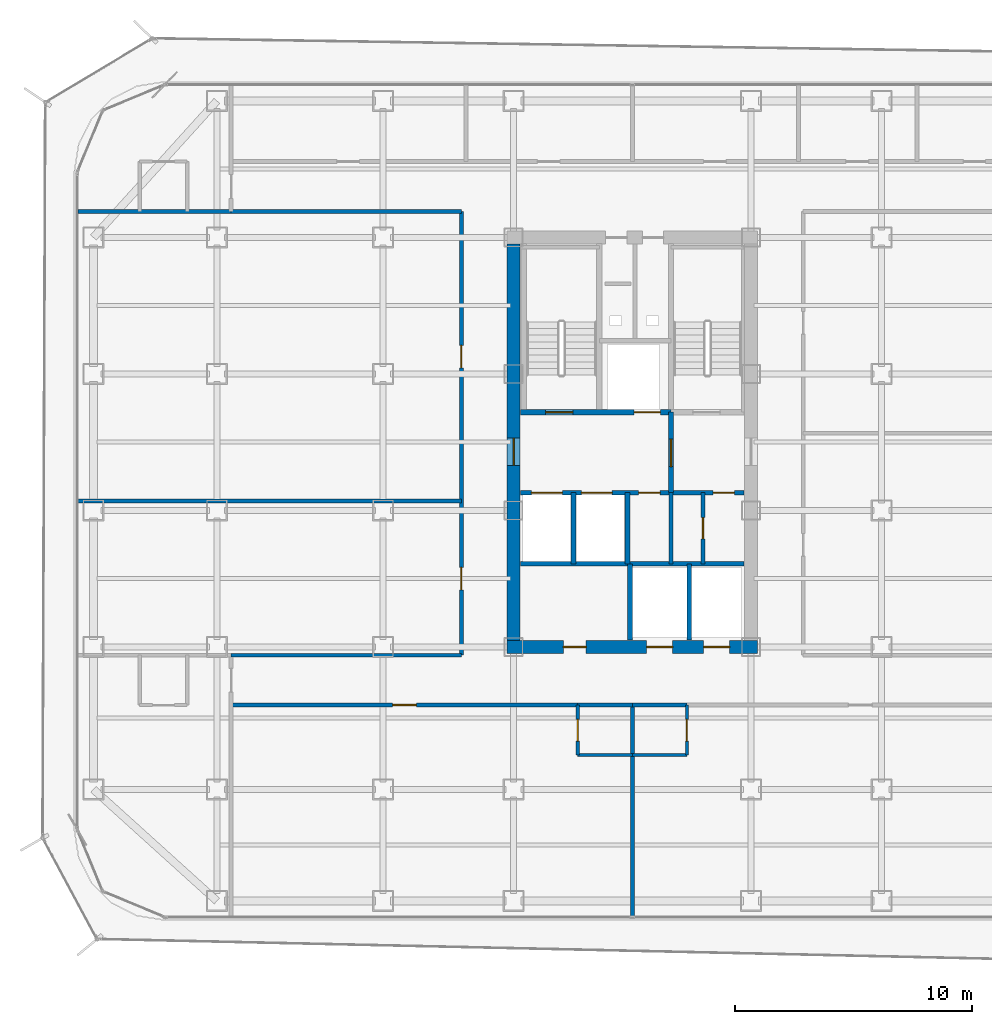
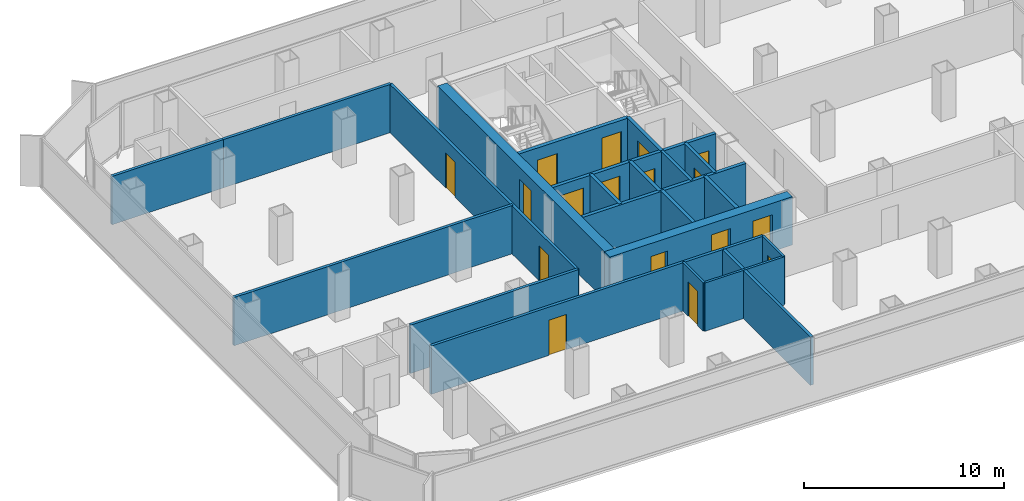
# One storey, part 16 of 21: 25 walls, 17 doors, 17 openings.
"""IFC4 building model written with IfcOpenShell, lengths in metres."""

from ifc_helpers import new_model, si_unit, direction, frame, frame_2d, origin, place, context, subcontext, project, spatial, rectangle, extrude, material, layer, layer_set, type_object, element, fill, save


model = new_model("IFC4")

# Units and contexts
model_context = context("Model", 3, precision=1e-05, world=origin(), true_north=direction((0.0, 1.0)))
body_context = subcontext(model_context, "Body", "Model", "MODEL_VIEW")
ifc_project = project(units=[si_unit("LENGTHUNIT", "METRE"), si_unit("AREAUNIT", "SQUARE_METRE"), si_unit("VOLUMEUNIT", "CUBIC_METRE"), si_unit("PLANEANGLEUNIT", "RADIAN"), si_unit("MASSUNIT", "GRAM", prefix="KILO")], contexts=[model_context])

# Site, building, storey
site_placement = place(None, origin())
site = spatial("IfcSite", under=ifc_project, at=site_placement, CompositionType="ELEMENT")
building_placement = place(site_placement, origin())
building = spatial("IfcBuilding", under=site, at=building_placement, Name="Kolveth Station Tower", CompositionType="ELEMENT")
storey_placement = place(building_placement, frame((0.0, 0.0, 134.300048828125)))
storey = spatial("IfcBuildingStorey", under=building, at=storey_placement, Name="L37", CompositionType="ELEMENT", Elevation=134.300048828125)

# Wall, openings, doors
ifc_material_1 = material(Name="Concrete C60/75", Category="concrete")
ifc_layer_1 = layer(ifc_material_1, 0.550048828125)
ifc_layer_set_1 = layer_set([ifc_layer_1], Name="Concrete C60/75")
wall_type_1 = type_object("IfcWallType", Name="Wall_CW-550", PredefinedType="SHEAR", material=ifc_layer_set_1)
wall_1_placement = place(storey_placement, frame((18.22509765625, 11.5, 0.0), z_axis=(0.0, 0.0, 1.0), x_axis=(1.0, 0.0, 0.0)))
wall_1 = element("IfcWall", 1, at=wall_1_placement, inside=storey, type_object=wall_type_1, Name="L37 Core RC Shear Wall S", PredefinedType="SHEAR", context=body_context, shape_type="SweptSolid", body=[
    extrude(rectangle(XDim=10.5498046875, YDim=0.550048828125, at=frame_2d((5.27490234375, 0.0))), origin(), (0.0, 0.0, 1.0), 2.949951171875),
])
opening_1_placement = place(wall_1_placement, frame((2.375, 0.0, 0.0)))
opening_1 = element("IfcOpeningElement", 2, at=opening_1_placement, cuts=wall_1, Name="Opening ID1", PredefinedType="OPENING", context=body_context, shape_type="SweptSolid", body=[
    extrude(rectangle(XDim=0.949951171875, YDim=2.14990234375, at=frame_2d((0.47509765625, 1.074951171875))), frame((0.0, 0.284912109375, 0.0), z_axis=(0.0, -1.0, 0.0), x_axis=(1.0, 0.0, 0.0)), (0.0, 0.0, 1.0), 0.570068359375),
])
opening_2_placement = place(wall_1_placement, frame((5.875, 0.0, 0.0)))
opening_2 = element("IfcOpeningElement", 3, at=opening_2_placement, cuts=wall_1, Name="Opening LD1", PredefinedType="OPENING", context=body_context, shape_type="SweptSolid", body=[
    extrude(rectangle(XDim=1.10009765625, YDim=2.25, at=frame_2d((0.550048828125, 1.125))), frame((0.0, 0.284912109375, 0.0), z_axis=(0.0, -1.0, 0.0), x_axis=(1.0, 0.0, 0.0)), (0.0, 0.0, 1.0), 0.570068359375),
])
opening_3_placement = place(wall_1_placement, frame((8.27490234375, 0.0, 0.0)))
opening_3 = element("IfcOpeningElement", 4, at=opening_3_placement, cuts=wall_1, Name="Opening LD1", PredefinedType="OPENING", context=body_context, shape_type="SweptSolid", body=[
    extrude(rectangle(XDim=1.10009765625, YDim=2.25, at=frame_2d((0.550048828125, 1.125))), frame((0.0, 0.284912109375, 0.0), z_axis=(0.0, -1.0, 0.0), x_axis=(1.0, 0.0, 0.0)), (0.0, 0.0, 1.0), 0.570068359375),
])
ifc_material_2 = material(Name="Acoustic hardwood leaf and aluminium frame", Category="wood")
door_type_1 = type_object("IfcDoorType", Name="Door_ID1", OperationType="NOTDEFINED", PredefinedType="DOOR", material=ifc_material_2)
door_1_placement = place(opening_1_placement, frame((0.949951171875, 0.0, 0.0), z_axis=(0.0, 0.0, 1.0), x_axis=(-1.0, 0.0, 0.0)))
door_1 = element("IfcDoor", 5, at=door_1_placement, inside=storey, type_object=door_type_1, Name="L37 Hotel Pantry Door", OperationType="SINGLE_SWING_LEFT", OverallHeight=2.14990234375, OverallWidth=0.949951171875, PredefinedType="DOOR", context=body_context, shape_type="SweptSolid", body=[
    extrude(rectangle(XDim=0.949951171875, YDim=2.14990234375, at=frame_2d((0.47509765625, 1.074951171875))), frame((0.0, 0.02490234375, 0.0), z_axis=(0.0, -1.0, 0.0), x_axis=(1.0, 0.0, 0.0)), (0.0, 0.0, 1.0), 0.050048828125),
])
fill(opening_1, door_1)
ifc_material_3 = material(Name="Brushed stainless steel sliding landing doors", Category="steel")
door_type_2 = type_object("IfcDoorType", Name="Door_LD1", OperationType="NOTDEFINED", PredefinedType="DOOR", material=ifc_material_3)
door_2_placement = place(opening_2_placement, frame((1.10009765625, 0.0, 0.0), z_axis=(0.0, 0.0, 1.0), x_axis=(-1.0, 0.0, 0.0)))
door_2 = element("IfcDoor", 6, at=door_2_placement, inside=storey, type_object=door_type_2, Name="L37 Lift PM1 Landing Door", OperationType="DOUBLE_DOOR_SLIDING", OverallHeight=2.25, OverallWidth=1.10009765625, PredefinedType="DOOR", context=body_context, shape_type="SweptSolid", body=[
    extrude(rectangle(XDim=1.10009765625, YDim=2.25, at=frame_2d((0.550048828125, 1.125))), frame((0.0, 0.02490234375, 0.0), z_axis=(0.0, -1.0, 0.0), x_axis=(1.0, 0.0, 0.0)), (0.0, 0.0, 1.0), 0.050048828125),
])
fill(opening_2, door_2)
door_3_placement = place(opening_3_placement, frame((1.10009765625, 0.0, 0.0), z_axis=(0.0, 0.0, 1.0), x_axis=(-1.0, 0.0, 0.0)))
door_3 = element("IfcDoor", 7, at=door_3_placement, inside=storey, type_object=door_type_2, Name="L37 Lift PH1 Landing Door", OperationType="DOUBLE_DOOR_SLIDING", OverallHeight=2.25, OverallWidth=1.10009765625, PredefinedType="DOOR", context=body_context, shape_type="SweptSolid", body=[
    extrude(rectangle(XDim=1.10009765625, YDim=2.25, at=frame_2d((0.550048828125, 1.125))), frame((0.0, 0.02490234375, 0.0), z_axis=(0.0, -1.0, 0.0), x_axis=(1.0, 0.0, 0.0)), (0.0, 0.0, 1.0), 0.050048828125),
])
fill(opening_3, door_3)

# Wall, opening, door
wall_2_placement = place(storey_placement, frame((18.5, 11.77490234375, 0.0), z_axis=(0.0, 0.0, 1.0), x_axis=(0.0, 1.0, 0.0)))
wall_2 = element("IfcWall", 8, at=wall_2_placement, inside=storey, type_object=wall_type_1, Name="L37 Core RC Shear Wall W", PredefinedType="SHEAR", context=body_context, shape_type="SweptSolid", body=[
    extrude(rectangle(XDim=16.7001953125, YDim=0.550048828125, at=frame_2d((8.35009765625, 0.0))), origin(), (0.0, 0.0, 1.0), 2.949951171875),
])
opening_4_placement = place(wall_2_placement, frame((7.375, 0.0, 0.0)))
opening_4 = element("IfcOpeningElement", 9, at=opening_4_placement, cuts=wall_2, Name="Opening FD1", PredefinedType="OPENING", context=body_context, shape_type="SweptSolid", body=[
    extrude(rectangle(XDim=1.14990234375, YDim=2.199951171875, at=frame_2d((0.574951171875, 1.10009765625))), frame((0.0, 0.284912109375, 0.0), z_axis=(0.0, -1.0, 0.0), x_axis=(1.0, 0.0, 0.0)), (0.0, 0.0, 1.0), 0.570068359375),
])
ifc_material_4 = material(Name="Fire-rated Steel S355 leaf and frame", Category="steel")
door_type_3 = type_object("IfcDoorType", Name="Door_FD1", OperationType="NOTDEFINED", PredefinedType="DOOR", material=ifc_material_4)
door_4_placement = place(opening_4_placement, frame((1.14990234375, 0.0, 0.0), z_axis=(0.0, 0.0, 1.0), x_axis=(-1.0, 0.0, 0.0)))
door_4 = element("IfcDoor", 10, at=door_4_placement, inside=storey, type_object=door_type_3, Name="L37 West Corridor to Firefighting Lobby Door", OperationType="SINGLE_SWING_LEFT", OverallHeight=2.199951171875, OverallWidth=1.14990234375, PredefinedType="DOOR", context=body_context, shape_type="SweptSolid", body=[
    extrude(rectangle(XDim=1.14990234375, YDim=2.199951171875, at=frame_2d((0.574951171875, 1.10009765625))), frame((0.0, 0.02490234375, 0.0), z_axis=(0.0, -1.0, 0.0), x_axis=(1.0, 0.0, 0.0)), (0.0, 0.0, 1.0), 0.050048828125),
])
fill(opening_4, door_4)

ifc_material_5 = material(Name="Moisture-resistant gypsum partition")
ifc_layer_2 = layer(ifc_material_5, 0.135009765625)
ifc_layer_set_2 = layer_set([ifc_layer_2], Name="Moisture-resistant gypsum partition")
wall_type_2 = type_object("IfcWallType", Name="Wall_IW-135", PredefinedType="PARTITIONING", material=ifc_layer_set_2)
wall_3_placement = place(storey_placement, frame((21.199951171875, 6.949951171875, 0.0), z_axis=(0.0, 0.0, 1.0), x_axis=(0.0, 1.0, 0.0)))
wall_3 = element("IfcWall", 11, at=wall_3_placement, inside=storey, type_object=wall_type_2, Name="L37 Partition Wall WL-L37-HS1-BV", PredefinedType="PARTITIONING", context=body_context, shape_type="SweptSolid", body=[
    extrude(rectangle(XDim=2.10009765625, YDim=0.135009765625, at=frame_2d((1.050048828125, 0.0))), origin(), (0.0, 0.0, 1.0), 2.949951171875),
])
opening_5_placement = place(wall_3_placement, frame((0.580078125, 0.0, 0.0)))
opening_5 = element("IfcOpeningElement", 12, at=opening_5_placement, cuts=wall_3, Name="Opening ID2", PredefinedType="OPENING", context=body_context, shape_type="SweptSolid", body=[
    extrude(rectangle(XDim=0.919921875, YDim=2.10009765625, at=frame_2d((0.4599609375, 1.050048828125))), frame((0.0, 0.077392578125, 0.0), z_axis=(0.0, -1.0, 0.0), x_axis=(1.0, 0.0, 0.0)), (0.0, 0.0, 1.0), 0.155029296875),
])
ifc_material_6 = material(Name="Moisture-resistant hardwood leaf", Category="wood")
door_type_4 = type_object("IfcDoorType", Name="Door_ID2", OperationType="NOTDEFINED", PredefinedType="DOOR", material=ifc_material_6)
door_5_placement = place(opening_5_placement, origin())
door_5 = element("IfcDoor", 13, at=door_5_placement, inside=storey, type_object=door_type_4, Name="L37 Hotel Corner Suite HS1 En-Suite Door", OperationType="SINGLE_SWING_RIGHT", OverallHeight=2.10009765625, OverallWidth=0.919921875, PredefinedType="DOOR", context=body_context, shape_type="SweptSolid", body=[
    extrude(rectangle(XDim=0.919921875, YDim=2.10009765625, at=frame_2d((0.4599609375, 1.050048828125))), frame((0.0, 0.02490234375, 0.0), z_axis=(0.0, -1.0, 0.0), x_axis=(1.0, 0.0, 0.0)), (0.0, 0.0, 1.0), 0.050048828125),
])
fill(opening_5, door_5)

# Wall
wall_4_placement = place(storey_placement, frame((21.199951171875, 6.949951171875, 0.0), z_axis=(0.0, 0.0, 1.0), x_axis=(1.0, 0.0, 0.0)))
element("IfcWall", 14, at=wall_4_placement, inside=storey, type_object=wall_type_2, Name="L37 Partition Wall WL-L37-HS1-BH", PredefinedType="PARTITIONING", context=body_context, shape_type="SweptSolid", body=[
    extrude(rectangle(XDim=2.300048828125, YDim=0.135009765625, at=frame_2d((1.14990234375, 0.0))), origin(), (0.0, 0.0, 1.0), 2.949951171875),
])

# Wall, opening, door
wall_5_placement = place(storey_placement, frame((25.800048828125, 6.949951171875, 0.0), z_axis=(0.0, 0.0, 1.0), x_axis=(0.0, 1.0, 0.0)))
wall_5 = element("IfcWall", 15, at=wall_5_placement, inside=storey, type_object=wall_type_2, Name="L37 Partition Wall WL-L37-HS2-BV", PredefinedType="PARTITIONING", context=body_context, shape_type="SweptSolid", body=[
    extrude(rectangle(XDim=2.10009765625, YDim=0.135009765625, at=frame_2d((1.050048828125, 0.0))), origin(), (0.0, 0.0, 1.0), 2.949951171875),
])
opening_6_placement = place(wall_5_placement, frame((0.580078125, 0.0, 0.0)))
opening_6 = element("IfcOpeningElement", 16, at=opening_6_placement, cuts=wall_5, Name="Opening ID2", PredefinedType="OPENING", context=body_context, shape_type="SweptSolid", body=[
    extrude(rectangle(XDim=0.919921875, YDim=2.10009765625, at=frame_2d((0.4599609375, 1.050048828125))), frame((0.0, 0.077392578125, 0.0), z_axis=(0.0, -1.0, 0.0), x_axis=(1.0, 0.0, 0.0)), (0.0, 0.0, 1.0), 0.155029296875),
])
door_6_placement = place(opening_6_placement, frame((0.919921875, 0.0, 0.0), z_axis=(0.0, 0.0, 1.0), x_axis=(-1.0, 0.0, 0.0)))
door_6 = element("IfcDoor", 17, at=door_6_placement, inside=storey, type_object=door_type_4, Name="L37 Hotel Corner Suite HS2 En-Suite Door", OperationType="SINGLE_SWING_RIGHT", OverallHeight=2.10009765625, OverallWidth=0.919921875, PredefinedType="DOOR", context=body_context, shape_type="SweptSolid", body=[
    extrude(rectangle(XDim=0.919921875, YDim=2.10009765625, at=frame_2d((0.4599609375, 1.050048828125))), frame((0.0, 0.02490234375, 0.0), z_axis=(0.0, -1.0, 0.0), x_axis=(1.0, 0.0, 0.0)), (0.0, 0.0, 1.0), 0.050048828125),
])
fill(opening_6, door_6)

# Walls
wall_6_placement = place(storey_placement, frame((23.5, 6.949951171875, 0.0), z_axis=(0.0, 0.0, 1.0), x_axis=(1.0, 0.0, 0.0)))
element("IfcWall", 18, at=wall_6_placement, inside=storey, type_object=wall_type_2, Name="L37 Partition Wall WL-L37-HS2-BH", PredefinedType="PARTITIONING", context=body_context, shape_type="SweptSolid", body=[
    extrude(rectangle(XDim=2.300048828125, YDim=0.135009765625, at=frame_2d((1.14990234375, 0.0))), origin(), (0.0, 0.0, 1.0), 2.949951171875),
])
ifc_material_7 = material(Name="Acoustic double-stud gypsum partition")
ifc_layer_3 = layer(ifc_material_7, 0.1650390625)
ifc_layer_set_3 = layer_set([ifc_layer_3], Name="Acoustic double-stud gypsum partition")
wall_type_3 = type_object("IfcWallType", Name="Wall_IW-165", PredefinedType="PARTITIONING", material=ifc_layer_set_3)
wall_7_placement = place(storey_placement, frame((25.1298828125, 15.0, 0.0), z_axis=(0.0, 0.0, 1.0), x_axis=(0.0, 1.0, 0.0)))
element("IfcWall", 19, at=wall_7_placement, inside=storey, type_object=wall_type_3, Name="L37 Partition Wall WL-L37-CB-V3A", PredefinedType="PARTITIONING", context=body_context, shape_type="SweptSolid", body=[
    extrude(rectangle(XDim=3.0, YDim=0.1650390625, at=frame_2d((1.5, 0.0))), origin(), (0.0, 0.0, 1.0), 2.949951171875),
])

# Wall, opening, door
wall_8_placement = place(storey_placement, frame((26.47998046875, 15.0, 0.0), z_axis=(0.0, 0.0, 1.0), x_axis=(0.0, 1.0, 0.0)))
wall_8 = element("IfcWall", 20, at=wall_8_placement, inside=storey, type_object=wall_type_3, Name="L37 Partition Wall WL-L37-CB-V3B", PredefinedType="PARTITIONING", context=body_context, shape_type="SweptSolid", body=[
    extrude(rectangle(XDim=3.0, YDim=0.1650390625, at=frame_2d((1.5, 0.0))), origin(), (0.0, 0.0, 1.0), 2.949951171875),
])
opening_7_placement = place(wall_8_placement, frame((1.050048828125, 0.0, 0.0)))
opening_7 = element("IfcOpeningElement", 21, at=opening_7_placement, cuts=wall_8, Name="Opening RD1", PredefinedType="OPENING", context=body_context, shape_type="SweptSolid", body=[
    extrude(rectangle(XDim=0.89990234375, YDim=2.050048828125, at=frame_2d((0.449951171875, 1.02490234375))), frame((0.0, 0.092529296875, 0.0), z_axis=(0.0, -1.0, 0.0), x_axis=(1.0, 0.0, 0.0)), (0.0, 0.0, 1.0), 0.18505859375),
])
ifc_material_8 = material(Name="Fire-rated Steel S355 riser access leaf", Category="steel")
door_type_5 = type_object("IfcDoorType", Name="Door_RD1", OperationType="NOTDEFINED", PredefinedType="DOOR", material=ifc_material_8)
door_7_placement = place(opening_7_placement, origin())
door_7 = element("IfcDoor", 22, at=door_7_placement, inside=storey, type_object=door_type_5, Name="L37 Core Meter Closet Door", OperationType="SINGLE_SWING_LEFT", OverallHeight=2.050048828125, OverallWidth=0.89990234375, PredefinedType="DOOR", context=body_context, shape_type="SweptSolid", body=[
    extrude(rectangle(XDim=0.89990234375, YDim=2.050048828125, at=frame_2d((0.449951171875, 1.02490234375))), frame((0.0, 0.02490234375, 0.0), z_axis=(0.0, -1.0, 0.0), x_axis=(1.0, 0.0, 0.0)), (0.0, 0.0, 1.0), 0.050048828125),
])
fill(opening_7, door_7)

# Walls
for number, where, z_axis, x_axis, name in (
    (23, (6.60009765625, 11.14990234375, 0.0), (0.0, 0.0, 1.0), (1.0, 0.0, 0.0), "L37 Partition Wall WL-L37-HSWT"),
    (24, (6.60009765625, 29.85009765625, 0.0), (0.0, 0.0, 1.0), (1.0, 0.0, 0.0), "L37 Partition Wall WL-L37-HNWB"),
):
    element("IfcWall", number, at=place(storey_placement, frame(where, z_axis=z_axis, x_axis=x_axis)), inside=storey, type_object=wall_type_3, Name=name, PredefinedType="PARTITIONING", context=body_context, shape_type="SweptSolid", body=[
        extrude(rectangle(XDim=9.699951171875, YDim=0.1650390625, at=frame_2d((4.85009765625, 0.0))), origin(), (0.0, 0.0, 1.0), 2.949951171875),
    ])

# Wall, openings, doors
wall_9_placement = place(storey_placement, frame((16.300048828125, 11.14990234375, 0.0), z_axis=(0.0, 0.0, 1.0), x_axis=(0.0, 1.0, 0.0)))
wall_9 = element("IfcWall", 25, at=wall_9_placement, inside=storey, type_object=wall_type_3, Name="L37 Partition Wall WL-L37-HW", PredefinedType="PARTITIONING", context=body_context, shape_type="SweptSolid", body=[
    extrude(rectangle(XDim=18.7001953125, YDim=0.1650390625, at=frame_2d((9.35009765625, 0.0))), origin(), (0.0, 0.0, 1.0), 2.949951171875),
])
opening_8_placement = place(wall_9_placement, frame((2.75, 0.0, 0.0)))
opening_8 = element("IfcOpeningElement", 26, at=opening_8_placement, cuts=wall_9, Name="Opening ID1", PredefinedType="OPENING", context=body_context, shape_type="SweptSolid", body=[
    extrude(rectangle(XDim=0.949951171875, YDim=2.14990234375, at=frame_2d((0.47509765625, 1.074951171875))), frame((0.0, 0.092529296875, 0.0), z_axis=(0.0, -1.0, 0.0), x_axis=(1.0, 0.0, 0.0)), (0.0, 0.0, 1.0), 0.18505859375),
])
opening_9_placement = place(wall_9_placement, frame((12.10009765625, 0.0, 0.0)))
opening_9 = element("IfcOpeningElement", 27, at=opening_9_placement, cuts=wall_9, Name="Opening ID1", PredefinedType="OPENING", context=body_context, shape_type="SweptSolid", body=[
    extrude(rectangle(XDim=0.949951171875, YDim=2.14990234375, at=frame_2d((0.47509765625, 1.074951171875))), frame((0.0, 0.092529296875, 0.0), z_axis=(0.0, -1.0, 0.0), x_axis=(1.0, 0.0, 0.0)), (0.0, 0.0, 1.0), 0.18505859375),
])
door_8_placement = place(opening_8_placement, frame((0.949951171875, 0.0, 0.0), z_axis=(0.0, 0.0, 1.0), x_axis=(-1.0, 0.0, 0.0)))
door_8 = element("IfcDoor", 28, at=door_8_placement, inside=storey, type_object=door_type_1, Name="L37 Hospitality Office Door", OperationType="SINGLE_SWING_LEFT", OverallHeight=2.14990234375, OverallWidth=0.949951171875, PredefinedType="DOOR", context=body_context, shape_type="SweptSolid", body=[
    extrude(rectangle(XDim=0.949951171875, YDim=2.14990234375, at=frame_2d((0.47509765625, 1.074951171875))), frame((0.0, 0.02490234375, 0.0), z_axis=(0.0, -1.0, 0.0), x_axis=(1.0, 0.0, 0.0)), (0.0, 0.0, 1.0), 0.050048828125),
])
fill(opening_8, door_8)
door_9_placement = place(opening_9_placement, frame((0.949951171875, 0.0, 0.0), z_axis=(0.0, 0.0, 1.0), x_axis=(-1.0, 0.0, 0.0)))
door_9 = element("IfcDoor", 29, at=door_9_placement, inside=storey, type_object=door_type_1, Name="L37 Hotel Guest Lounge Door", OperationType="SINGLE_SWING_RIGHT", OverallHeight=2.14990234375, OverallWidth=0.949951171875, PredefinedType="DOOR", context=body_context, shape_type="SweptSolid", body=[
    extrude(rectangle(XDim=0.949951171875, YDim=2.14990234375, at=frame_2d((0.47509765625, 1.074951171875))), frame((0.0, 0.02490234375, 0.0), z_axis=(0.0, -1.0, 0.0), x_axis=(1.0, 0.0, 0.0)), (0.0, 0.0, 1.0), 0.050048828125),
])
fill(opening_9, door_9)

# Walls
wall_10_placement = place(storey_placement, frame((0.159912109375, 29.85009765625, 0.0), z_axis=(0.0, 0.0, 1.0), x_axis=(1.0, 0.0, 0.0)))
element("IfcWall", 30, at=wall_10_placement, inside=storey, type_object=wall_type_3, Name="L37 Partition Wall WL-L37-WM2", PredefinedType="PARTITIONING", context=body_context, shape_type="SweptSolid", body=[
    extrude(rectangle(XDim=6.440185546875, YDim=0.1650390625, at=frame_2d((3.22021484375, 0.0))), origin(), (0.0, 0.0, 1.0), 2.949951171875),
])
wall_11_placement = place(storey_placement, frame((21.199951171875, 9.050048828125, 0.0), z_axis=(0.0, 0.0, 1.0), x_axis=(1.0, 0.0, 0.0)))
element("IfcWall", 31, at=wall_11_placement, inside=storey, type_object=wall_type_3, Name="L37 Partition Wall WL-L37-HS1-BCOR", PredefinedType="PARTITIONING", context=body_context, shape_type="SweptSolid", body=[
    extrude(rectangle(XDim=2.300048828125, YDim=0.1650390625, at=frame_2d((1.14990234375, 0.0))), origin(), (0.0, 0.0, 1.0), 2.949951171875),
])

# Wall, opening, door
wall_12_placement = place(storey_placement, frame((6.60009765625, 9.050048828125, 0.0), z_axis=(0.0, 0.0, 1.0), x_axis=(1.0, 0.0, 0.0)))
wall_12 = element("IfcWall", 32, at=wall_12_placement, inside=storey, type_object=wall_type_3, Name="L37 Partition Wall WL-L37-HS1-RCOR", PredefinedType="PARTITIONING", context=body_context, shape_type="SweptSolid", body=[
    extrude(rectangle(XDim=14.599853515625, YDim=0.1650390625, at=frame_2d((7.2998046875, 0.0))), origin(), (0.0, 0.0, 1.0), 2.949951171875),
])
opening_10_placement = place(wall_12_placement, frame((6.800048828125, 0.0, 0.0)))
opening_10 = element("IfcOpeningElement", 33, at=opening_10_placement, cuts=wall_12, Name="Opening FD3", PredefinedType="OPENING", context=body_context, shape_type="SweptSolid", body=[
    extrude(rectangle(XDim=1.0, YDim=2.14990234375, at=frame_2d((0.5, 1.074951171875))), frame((0.0, 0.092529296875, 0.0), z_axis=(0.0, -1.0, 0.0), x_axis=(1.0, 0.0, 0.0)), (0.0, 0.0, 1.0), 0.18505859375),
])
ifc_material_9 = material(Name="Fire-rated hardwood leaf and aluminium frame", Category="wood")
door_type_6 = type_object("IfcDoorType", Name="Door_FD3", OperationType="NOTDEFINED", PredefinedType="DOOR", material=ifc_material_9)
door_10_placement = place(opening_10_placement, frame((1.0, 0.0, 0.0), z_axis=(0.0, 0.0, 1.0), x_axis=(-1.0, 0.0, 0.0)))
door_10 = element("IfcDoor", 34, at=door_10_placement, inside=storey, type_object=door_type_6, Name="L37 Hotel Corner Suite HS1 Entrance Door", OperationType="SINGLE_SWING_LEFT", OverallHeight=2.14990234375, OverallWidth=1.0, PredefinedType="DOOR", context=body_context, shape_type="SweptSolid", body=[
    extrude(rectangle(XDim=1.0, YDim=2.14990234375, at=frame_2d((0.5, 1.074951171875))), frame((0.0, 0.02490234375, 0.0), z_axis=(0.0, -1.0, 0.0), x_axis=(1.0, 0.0, 0.0)), (0.0, 0.0, 1.0), 0.050048828125),
])
fill(opening_10, door_10)

# Walls
wall_13_placement = place(storey_placement, frame((23.5, 0.159912109375, 0.0), z_axis=(0.0, 0.0, 1.0), x_axis=(0.0, 1.0, 0.0)))
element("IfcWall", 35, at=wall_13_placement, inside=storey, type_object=wall_type_3, Name="L37 Partition Wall WL-L37-HSK-1", PredefinedType="PARTITIONING", context=body_context, shape_type="SweptSolid", body=[
    extrude(rectangle(XDim=8.89013671875, YDim=0.1650390625, at=frame_2d((4.445068359375, 0.0))), origin(), (0.0, 0.0, 1.0), 2.949951171875),
])
wall_14_placement = place(storey_placement, frame((23.5, 9.050048828125, 0.0), z_axis=(0.0, 0.0, 1.0), x_axis=(1.0, 0.0, 0.0)))
element("IfcWall", 36, at=wall_14_placement, inside=storey, type_object=wall_type_3, Name="L37 Partition Wall WL-L37-HS2-BCOR", PredefinedType="PARTITIONING", context=body_context, shape_type="SweptSolid", body=[
    extrude(rectangle(XDim=2.300048828125, YDim=0.1650390625, at=frame_2d((1.14990234375, 0.0))), origin(), (0.0, 0.0, 1.0), 2.949951171875),
])
wall_15_placement = place(storey_placement, frame((0.159912109375, 17.64990234375, 0.0), z_axis=(0.0, 0.0, 1.0), x_axis=(1.0, 0.0, 0.0)))
element("IfcWall", 37, at=wall_15_placement, inside=storey, type_object=wall_type_3, Name="L37 Partition Wall WL-L37-HMW-P1", PredefinedType="PARTITIONING", context=body_context, shape_type="SweptSolid", body=[
    extrude(rectangle(XDim=16.14013671875, YDim=0.1650390625, at=frame_2d((8.070068359375, 0.0))), origin(), (0.0, 0.0, 1.0), 2.949951171875),
])

# Wall, opening, door
ifc_material_10 = material(Name="Acoustic fire-rated gypsum blockwork", Category="masonry")
ifc_layer_4 = layer(ifc_material_10, 0.199951171875)
ifc_layer_set_4 = layer_set([ifc_layer_4], Name="Acoustic fire-rated gypsum blockwork")
wall_type_4 = type_object("IfcWallType", Name="Wall_IW-200", PredefinedType="PARTITIONING", material=ifc_layer_set_4)
wall_16_placement = place(storey_placement, frame((25.1298828125, 18.0, 0.0), z_axis=(0.0, 0.0, 1.0), x_axis=(0.0, 1.0, 0.0)))
wall_16 = element("IfcWall", 38, at=wall_16_placement, inside=storey, type_object=wall_type_4, Name="L37 Partition Wall WL-L37-FFL-E", PredefinedType="PARTITIONING", context=body_context, shape_type="SweptSolid", body=[
    extrude(rectangle(XDim=3.389892578125, YDim=0.199951171875, at=frame_2d((1.69482421875, 0.0))), origin(), (0.0, 0.0, 1.0), 2.949951171875),
])
opening_11_placement = place(wall_16_placement, frame((1.10009765625, 0.0, 0.0)))
opening_11 = element("IfcOpeningElement", 39, at=opening_11_placement, cuts=wall_16, Name="Opening FD1", PredefinedType="OPENING", context=body_context, shape_type="SweptSolid", body=[
    extrude(rectangle(XDim=1.14990234375, YDim=2.199951171875, at=frame_2d((0.574951171875, 1.10009765625))), frame((0.0, 0.10986328125, 0.0), z_axis=(0.0, -1.0, 0.0), x_axis=(1.0, 0.0, 0.0)), (0.0, 0.0, 1.0), 0.219970703125),
])
door_11_placement = place(opening_11_placement, origin())
door_11 = element("IfcDoor", 40, at=door_11_placement, inside=storey, type_object=door_type_3, Name="L37 Firefighting to Stair Lobby Door", OperationType="SINGLE_SWING_LEFT", OverallHeight=2.199951171875, OverallWidth=1.14990234375, PredefinedType="DOOR", context=body_context, shape_type="SweptSolid", body=[
    extrude(rectangle(XDim=1.14990234375, YDim=2.199951171875, at=frame_2d((0.574951171875, 1.10009765625))), frame((0.0, 0.02490234375, 0.0), z_axis=(0.0, -1.0, 0.0), x_axis=(1.0, 0.0, 0.0)), (0.0, 0.0, 1.0), 0.050048828125),
])
fill(opening_11, door_11)

# Wall, openings, doors
wall_17_placement = place(storey_placement, frame((18.784912109375, 18.0, 0.0), z_axis=(0.0, 0.0, 1.0), x_axis=(1.0, 0.0, 0.0)))
wall_17 = element("IfcWall", 41, at=wall_17_placement, inside=storey, type_object=wall_type_4, Name="L37 Partition Wall WL-L37-FFL-S", PredefinedType="PARTITIONING", context=body_context, shape_type="SweptSolid", body=[
    extrude(rectangle(XDim=9.43017578125, YDim=0.199951171875, at=frame_2d((4.715087890625, 0.0))), origin(), (0.0, 0.0, 1.0), 2.949951171875),
])
opening_12_placement = place(wall_17_placement, frame((0.465087890625, 0.0, 0.0)))
opening_12 = element("IfcOpeningElement", 42, at=opening_12_placement, cuts=wall_17, Name="Opening LD2", PredefinedType="OPENING", context=body_context, shape_type="SweptSolid", body=[
    extrude(rectangle(XDim=1.300048828125, YDim=2.300048828125, at=frame_2d((0.64990234375, 1.14990234375))), frame((0.0, 0.10986328125, 0.0), z_axis=(0.0, -1.0, 0.0), x_axis=(1.0, 0.0, 0.0)), (0.0, 0.0, 1.0), 0.219970703125),
])
opening_13_placement = place(wall_17_placement, frame((2.56494140625, 0.0, 0.0)))
opening_13 = element("IfcOpeningElement", 43, at=opening_13_placement, cuts=wall_17, Name="Opening LD2", PredefinedType="OPENING", context=body_context, shape_type="SweptSolid", body=[
    extrude(rectangle(XDim=1.300048828125, YDim=2.300048828125, at=frame_2d((0.64990234375, 1.14990234375))), frame((0.0, 0.10986328125, 0.0), z_axis=(0.0, -1.0, 0.0), x_axis=(1.0, 0.0, 0.0)), (0.0, 0.0, 1.0), 0.219970703125),
])
opening_14_placement = place(wall_17_placement, frame((4.985107421875, 0.0, 0.0)))
opening_14 = element("IfcOpeningElement", 44, at=opening_14_placement, cuts=wall_17, Name="Opening RD1", PredefinedType="OPENING", context=body_context, shape_type="SweptSolid", body=[
    extrude(rectangle(XDim=0.89990234375, YDim=2.050048828125, at=frame_2d((0.449951171875, 1.02490234375))), frame((0.0, 0.10986328125, 0.0), z_axis=(0.0, -1.0, 0.0), x_axis=(1.0, 0.0, 0.0)), (0.0, 0.0, 1.0), 0.219970703125),
])
opening_15_placement = place(wall_17_placement, frame((8.114990234375, 0.0, 0.0)))
opening_15 = element("IfcOpeningElement", 45, at=opening_15_placement, cuts=wall_17, Name="Opening RD1", PredefinedType="OPENING", context=body_context, shape_type="SweptSolid", body=[
    extrude(rectangle(XDim=0.89990234375, YDim=2.050048828125, at=frame_2d((0.449951171875, 1.02490234375))), frame((0.0, 0.10986328125, 0.0), z_axis=(0.0, -1.0, 0.0), x_axis=(1.0, 0.0, 0.0)), (0.0, 0.0, 1.0), 0.219970703125),
])
ifc_material_11 = material(Name="Firefighting stainless steel sliding landing doors", Category="steel")
door_type_7 = type_object("IfcDoorType", Name="Door_LD2", OperationType="NOTDEFINED", PredefinedType="DOOR", material=ifc_material_11)
door_12_placement = place(opening_12_placement, origin())
door_12 = element("IfcDoor", 46, at=door_12_placement, inside=storey, type_object=door_type_7, Name="L37 Firefighting Lift FF1 Landing Door", OperationType="DOUBLE_DOOR_SLIDING", OverallHeight=2.300048828125, OverallWidth=1.300048828125, PredefinedType="DOOR", context=body_context, shape_type="SweptSolid", body=[
    extrude(rectangle(XDim=1.300048828125, YDim=2.300048828125, at=frame_2d((0.64990234375, 1.14990234375))), frame((0.0, 0.02490234375, 0.0), z_axis=(0.0, -1.0, 0.0), x_axis=(1.0, 0.0, 0.0)), (0.0, 0.0, 1.0), 0.050048828125),
])
fill(opening_12, door_12)
door_13_placement = place(opening_13_placement, origin())
door_13 = element("IfcDoor", 47, at=door_13_placement, inside=storey, type_object=door_type_7, Name="L37 Firefighting Lift FF2 Landing Door", OperationType="DOUBLE_DOOR_SLIDING", OverallHeight=2.300048828125, OverallWidth=1.300048828125, PredefinedType="DOOR", context=body_context, shape_type="SweptSolid", body=[
    extrude(rectangle(XDim=1.300048828125, YDim=2.300048828125, at=frame_2d((0.64990234375, 1.14990234375))), frame((0.0, 0.02490234375, 0.0), z_axis=(0.0, -1.0, 0.0), x_axis=(1.0, 0.0, 0.0)), (0.0, 0.0, 1.0), 0.050048828125),
])
fill(opening_13, door_13)
door_14_placement = place(opening_14_placement, frame((0.89990234375, 0.0, 0.0), z_axis=(0.0, 0.0, 1.0), x_axis=(-1.0, 0.0, 0.0)))
door_14 = element("IfcDoor", 48, at=door_14_placement, inside=storey, type_object=door_type_5, Name="L37 Core Staff WC Door", OperationType="SINGLE_SWING_LEFT", OverallHeight=2.050048828125, OverallWidth=0.89990234375, PredefinedType="DOOR", context=body_context, shape_type="SweptSolid", body=[
    extrude(rectangle(XDim=0.89990234375, YDim=2.050048828125, at=frame_2d((0.449951171875, 1.02490234375))), frame((0.0, 0.02490234375, 0.0), z_axis=(0.0, -1.0, 0.0), x_axis=(1.0, 0.0, 0.0)), (0.0, 0.0, 1.0), 0.050048828125),
])
fill(opening_14, door_14)
door_15_placement = place(opening_15_placement, frame((0.89990234375, 0.0, 0.0), z_axis=(0.0, 0.0, 1.0), x_axis=(-1.0, 0.0, 0.0)))
door_15 = element("IfcDoor", 49, at=door_15_placement, inside=storey, type_object=door_type_5, Name="L37 Housekeeping and Linen Room Door", OperationType="SINGLE_SWING_RIGHT", OverallHeight=2.050048828125, OverallWidth=0.89990234375, PredefinedType="DOOR", context=body_context, shape_type="SweptSolid", body=[
    extrude(rectangle(XDim=0.89990234375, YDim=2.050048828125, at=frame_2d((0.449951171875, 1.02490234375))), frame((0.0, 0.02490234375, 0.0), z_axis=(0.0, -1.0, 0.0), x_axis=(1.0, 0.0, 0.0)), (0.0, 0.0, 1.0), 0.050048828125),
])
fill(opening_15, door_15)

# Walls
for number, where, z_axis, x_axis, name in (
    (50, (21.02001953125, 15.0, 0.0), (0.0, 0.0, 1.0), (0.0, 1.0, 0.0), "L37 Partition Wall WL-L37-FF12"),
    (51, (23.300048828125, 15.0, 0.0), (0.0, 0.0, 1.0), (0.0, 1.0, 0.0), "L37 Partition Wall WL-L37-FF2E"),
):
    element("IfcWall", number, at=place(storey_placement, frame(where, z_axis=z_axis, x_axis=x_axis)), inside=storey, type_object=wall_type_4, Name=name, PredefinedType="PARTITIONING", context=body_context, shape_type="SweptSolid", body=[
        extrude(rectangle(XDim=3.0, YDim=0.199951171875, at=frame_2d((1.5, 0.0))), origin(), (0.0, 0.0, 1.0), 2.949951171875),
    ])
wall_18_placement = place(storey_placement, frame((18.784912109375, 15.0, 0.0), z_axis=(0.0, 0.0, 1.0), x_axis=(1.0, 0.0, 0.0)))
element("IfcWall", 52, at=wall_18_placement, inside=storey, type_object=wall_type_4, Name="L37 Partition Wall WL-L37-BOH-S", PredefinedType="PARTITIONING", context=body_context, shape_type="SweptSolid", body=[
    extrude(rectangle(XDim=9.43017578125, YDim=0.199951171875, at=frame_2d((4.715087890625, 0.0))), origin(), (0.0, 0.0, 1.0), 2.949951171875),
])
for number, where, z_axis, x_axis, name in (
    (53, (23.39990234375, 11.784912109375, 0.0), (0.0, 0.0, 1.0), (0.0, 1.0, 0.0), "L37 Partition Wall WL-L37-PL2E"),
    (54, (25.89990234375, 11.784912109375, 0.0), (0.0, 0.0, 1.0), (0.0, 1.0, 0.0), "L37 Partition Wall WL-L37-PMPH"),
):
    element("IfcWall", number, at=place(storey_placement, frame(where, z_axis=z_axis, x_axis=x_axis)), inside=storey, type_object=wall_type_4, Name=name, PredefinedType="PARTITIONING", context=body_context, shape_type="SweptSolid", body=[
        extrude(rectangle(XDim=3.215087890625, YDim=0.199951171875, at=frame_2d((1.607421875, 0.0))), origin(), (0.0, 0.0, 1.0), 2.949951171875),
    ])

# Wall, openings, doors
ifc_material_12 = material(Name="Concrete C40/50", Category="concrete")
ifc_layer_5 = layer(ifc_material_12, 0.219970703125)
ifc_layer_set_5 = layer_set([ifc_layer_5], Name="Concrete C40/50")
wall_type_5 = type_object("IfcWallType", Name="Wall_IW-220", PredefinedType="SOLIDWALL", material=ifc_layer_set_5)
wall_19_placement = place(storey_placement, frame((18.784912109375, 21.389892578125, 0.0), z_axis=(0.0, 0.0, 1.0), x_axis=(1.0, 0.0, 0.0)))
wall_19 = element("IfcWall", 55, at=wall_19_placement, inside=storey, type_object=wall_type_5, Name="L37 Stair Shaft Wall WL-L37-ST1-S", PredefinedType="SOLIDWALL", context=body_context, shape_type="SweptSolid", body=[
    extrude(rectangle(XDim=6.344970703125, YDim=0.219970703125, at=frame_2d((3.17236328125, 0.0))), origin(), (0.0, 0.0, 1.0), 2.949951171875),
])
opening_16_placement = place(wall_19_placement, frame((1.06494140625, 0.0, 0.0)))
opening_16 = element("IfcOpeningElement", 56, at=opening_16_placement, cuts=wall_19, Name="Opening FD1", PredefinedType="OPENING", context=body_context, shape_type="SweptSolid", body=[
    extrude(rectangle(XDim=1.14990234375, YDim=2.199951171875, at=frame_2d((0.574951171875, 1.10009765625))), frame((0.0, 0.119873046875, 0.0), z_axis=(0.0, -1.0, 0.0), x_axis=(1.0, 0.0, 0.0)), (0.0, 0.0, 1.0), 0.239990234375),
])
opening_17_placement = place(wall_19_placement, frame((4.794921875, 0.0, 0.0)))
opening_17 = element("IfcOpeningElement", 57, at=opening_17_placement, cuts=wall_19, Name="Opening LD1", PredefinedType="OPENING", context=body_context, shape_type="SweptSolid", body=[
    extrude(rectangle(XDim=1.10009765625, YDim=2.25, at=frame_2d((0.550048828125, 1.125))), frame((0.0, 0.119873046875, 0.0), z_axis=(0.0, -1.0, 0.0), x_axis=(1.0, 0.0, 0.0)), (0.0, 0.0, 1.0), 0.239990234375),
])
door_16_placement = place(opening_16_placement, frame((1.14990234375, 0.0, 0.0), z_axis=(0.0, 0.0, 1.0), x_axis=(-1.0, 0.0, 0.0)))
door_16 = element("IfcDoor", 58, at=door_16_placement, inside=storey, type_object=door_type_3, Name="L37 Stair ST1 Fire Door", OperationType="SINGLE_SWING_LEFT", OverallHeight=2.199951171875, OverallWidth=1.14990234375, PredefinedType="DOOR", context=body_context, shape_type="SweptSolid", body=[
    extrude(rectangle(XDim=1.14990234375, YDim=2.199951171875, at=frame_2d((0.574951171875, 1.10009765625))), frame((0.0, 0.02490234375, 0.0), z_axis=(0.0, -1.0, 0.0), x_axis=(1.0, 0.0, 0.0)), (0.0, 0.0, 1.0), 0.050048828125),
])
fill(opening_16, door_16)
door_17_placement = place(opening_17_placement, frame((1.10009765625, 0.0, 0.0), z_axis=(0.0, 0.0, 1.0), x_axis=(-1.0, 0.0, 0.0)))
door_17 = element("IfcDoor", 59, at=door_17_placement, inside=storey, type_object=door_type_2, Name="L37 Service Lift SV1 Landing Door", OperationType="DOUBLE_DOOR_SLIDING", OverallHeight=2.25, OverallWidth=1.10009765625, PredefinedType="DOOR", context=body_context, shape_type="SweptSolid", body=[
    extrude(rectangle(XDim=1.10009765625, YDim=2.25, at=frame_2d((0.550048828125, 1.125))), frame((0.0, 0.02490234375, 0.0), z_axis=(0.0, -1.0, 0.0), x_axis=(1.0, 0.0, 0.0)), (0.0, 0.0, 1.0), 0.050048828125),
])
fill(opening_17, door_17)

save(model, "model.ifc")
